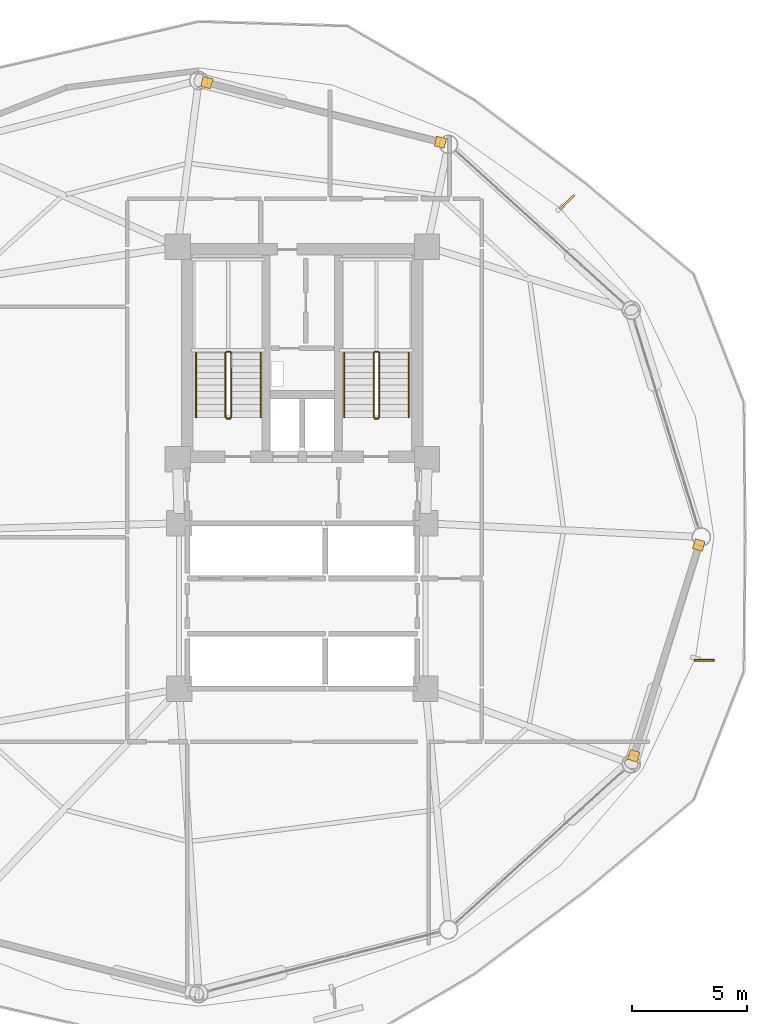
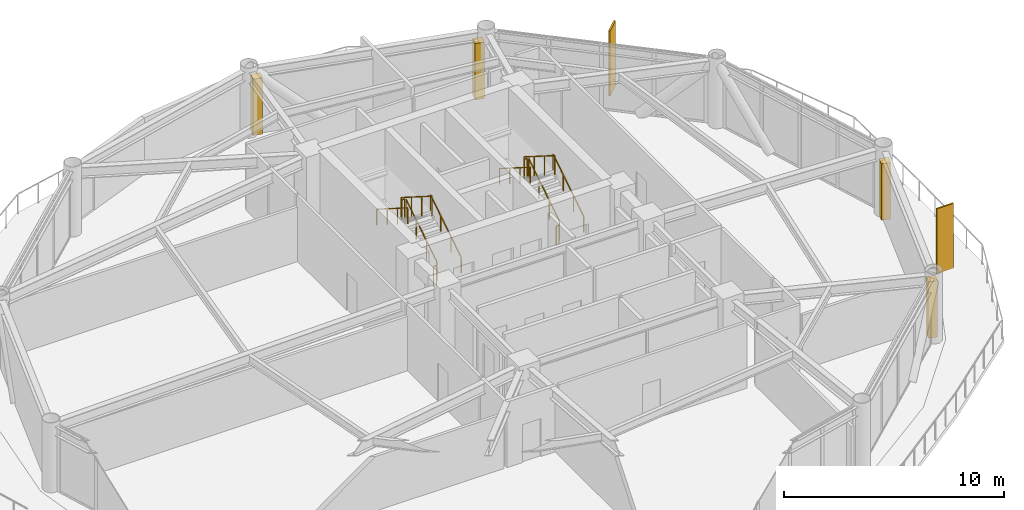
# One storey, part 23 of 23: 12 railings, 4 coverings, 2 shading devices.
"""IFC4 building model written with IfcOpenShell, lengths in metres."""

from ifc_helpers import new_model, si_unit, direction, frame, origin, origin_2d, place, context, subcontext, project, spatial, rectangle, extrude, source, transform, mapped, material, layer, layer_set, type_object, type_shapes, element, save


model = new_model("IFC4")

# Units and contexts
model_context = context("Model", 3, precision=1e-05, world=origin(), true_north=direction((0.0, 1.0)))
body_context = subcontext(model_context, "Body", "Model", "MODEL_VIEW")
ifc_project = project(units=[si_unit("LENGTHUNIT", "METRE"), si_unit("AREAUNIT", "SQUARE_METRE"), si_unit("VOLUMEUNIT", "CUBIC_METRE"), si_unit("PLANEANGLEUNIT", "RADIAN"), si_unit("MASSUNIT", "GRAM", prefix="KILO")], contexts=[model_context])

# Site, building, storey
site_placement = place(None, origin())
site = spatial("IfcSite", under=ifc_project, at=site_placement, CompositionType="ELEMENT")
building_placement = place(site_placement, origin())
building = spatial("IfcBuilding", under=site, at=building_placement, Name="Varnakorn Sky Granary", CompositionType="ELEMENT")
storey_placement = place(building_placement, frame((0.0, 0.0, 83.699951171875)))
storey = spatial("IfcBuildingStorey", under=building, at=storey_placement, Name="L20", CompositionType="ELEMENT", Elevation=83.699951171875)

# Railings
ifc_material_1 = material(Name="Brushed Stainless Steel 316", Category="steel")
railing_type_1 = type_object("IfcRailingType", Name="RL-STAIR-1100", PredefinedType="GUARDRAIL", material=ifc_material_1)
railing_1_placement = place(storey_placement, frame((-0.090087890625, 5.199951171875, 0.17724609375)))
element("IfcRailing", 1, at=railing_1_placement, inside=storey, type_object=railing_type_1, Name="L20 ST-1 stair guard 1", PredefinedType="GUARDRAIL", context=body_context, shape_type="SweptSolid", body=[
    extrude(rectangle(XDim=0.048095703125, YDim=0.048095703125, at=origin_2d()), frame((0.0, 0.0, 1.076171875), z_axis=(0.0, 0.844908973607, 0.534910110503), x_axis=(-1.0, 0.0, 0.0)), (0.0, 0.0, 1.0), 3.31396484375),
    extrude(rectangle(XDim=0.0419921875, YDim=0.0419921875, at=origin_2d()), origin(), (0.0, 0.0, 1.0), 1.048095703125),
    extrude(rectangle(XDim=0.0419921875, YDim=0.0419921875, at=origin_2d()), frame((0.0, 0.933349609375, 0.5908203125)), (0.0, 0.0, 1.0), 1.048095703125),
    extrude(rectangle(XDim=0.0419921875, YDim=0.0419921875, at=origin_2d()), frame((0.0, 1.86669921875, 1.181884765625)), (0.0, 0.0, 1.0), 1.048095703125),
    extrude(rectangle(XDim=0.0419921875, YDim=0.0419921875, at=origin_2d()), frame((0.0, 2.800048828125, 1.772705078125)), (0.0, 0.0, 1.0), 1.048095703125),
])
railing_2_placement = place(storey_placement, frame((-0.139892578125, 8.050048828125, 1.949951171875)))
element("IfcRailing", 2, at=railing_2_placement, inside=storey, type_object=railing_type_1, Name="L20 ST-1 stair guard 2", PredefinedType="GUARDRAIL", context=body_context, shape_type="SweptSolid", body=[
    extrude(rectangle(XDim=0.048095703125, YDim=0.048095703125, at=origin_2d()), frame((0.0, 0.0, 1.076171875), z_axis=(-1.0, 0.0, 0.0), x_axis=(0.0, -1.0, 0.0)), (0.0, 0.0, 1.0), 0.150146484375),
    extrude(rectangle(XDim=0.0419921875, YDim=0.0419921875, at=origin_2d()), origin(), (0.0, 0.0, 1.0), 1.048095703125),
    extrude(rectangle(XDim=0.0419921875, YDim=0.0419921875, at=origin_2d()), frame((-0.150146484375, 0.0, 0.0)), (0.0, 0.0, 1.0), 1.048095703125),
])
railing_3_placement = place(storey_placement, frame((-0.340087890625, 8.0, 2.12744140625)))
element("IfcRailing", 3, at=railing_3_placement, inside=storey, type_object=railing_type_1, Name="L20 ST-1 stair guard 3", PredefinedType="GUARDRAIL", context=body_context, shape_type="SweptSolid", body=[
    extrude(rectangle(XDim=0.048095703125, YDim=0.048095703125, at=origin_2d()), frame((0.0, 0.0, 1.076171875), z_axis=(0.0, -0.844908973607, 0.534910110503), x_axis=(1.0, 0.0, 0.0)), (0.0, 0.0, 1.0), 3.31396484375),
    extrude(rectangle(XDim=0.0419921875, YDim=0.0419921875, at=origin_2d()), origin(), (0.0, 0.0, 1.0), 1.048095703125),
    extrude(rectangle(XDim=0.0419921875, YDim=0.0419921875, at=origin_2d()), frame((0.0, -0.933349609375, 0.5908203125)), (0.0, 0.0, 1.0), 1.048095703125),
    extrude(rectangle(XDim=0.0419921875, YDim=0.0419921875, at=origin_2d()), frame((0.0, -1.86669921875, 1.181884765625)), (0.0, 0.0, 1.0), 1.048095703125),
    extrude(rectangle(XDim=0.0419921875, YDim=0.0419921875, at=origin_2d()), frame((0.0, -2.800048828125, 1.772705078125)), (0.0, 0.0, 1.0), 1.048095703125),
])
railing_4_placement = place(storey_placement, frame((-0.139892578125, 5.14990234375, 0.0)))
element("IfcRailing", 4, at=railing_4_placement, inside=storey, type_object=railing_type_1, Name="L20 ST-1 stair guard 4", PredefinedType="GUARDRAIL", context=body_context, shape_type="SweptSolid", body=[
    extrude(rectangle(XDim=0.048095703125, YDim=0.048095703125, at=origin_2d()), frame((0.0, 0.0, 1.076171875), z_axis=(-1.0, 0.0, 0.0), x_axis=(0.0, -1.0, 0.0)), (0.0, 0.0, 1.0), 0.150146484375),
    extrude(rectangle(XDim=0.0419921875, YDim=0.0419921875, at=origin_2d()), origin(), (0.0, 0.0, 1.0), 1.048095703125),
    extrude(rectangle(XDim=0.0419921875, YDim=0.0419921875, at=origin_2d()), frame((-0.150146484375, 0.0, 0.0)), (0.0, 0.0, 1.0), 1.048095703125),
])
railing_5_placement = place(storey_placement, frame((6.35009765625, 5.199951171875, 0.17724609375)))
element("IfcRailing", 5, at=railing_5_placement, inside=storey, type_object=railing_type_1, Name="L20 ST-2 stair guard 1", PredefinedType="GUARDRAIL", context=body_context, shape_type="SweptSolid", body=[
    extrude(rectangle(XDim=0.048095703125, YDim=0.048095703125, at=origin_2d()), frame((0.0, 0.0, 1.076171875), z_axis=(0.0, 0.844908973607, 0.534910110503), x_axis=(-1.0, 0.0, 0.0)), (0.0, 0.0, 1.0), 3.31396484375),
    extrude(rectangle(XDim=0.0419921875, YDim=0.0419921875, at=origin_2d()), origin(), (0.0, 0.0, 1.0), 1.048095703125),
    extrude(rectangle(XDim=0.0419921875, YDim=0.0419921875, at=origin_2d()), frame((0.0, 0.933349609375, 0.5908203125)), (0.0, 0.0, 1.0), 1.048095703125),
    extrude(rectangle(XDim=0.0419921875, YDim=0.0419921875, at=origin_2d()), frame((0.0, 1.86669921875, 1.181884765625)), (0.0, 0.0, 1.0), 1.048095703125),
    extrude(rectangle(XDim=0.0419921875, YDim=0.0419921875, at=origin_2d()), frame((0.0, 2.800048828125, 1.772705078125)), (0.0, 0.0, 1.0), 1.048095703125),
])
railing_6_placement = place(storey_placement, frame((6.300048828125, 8.050048828125, 1.949951171875)))
element("IfcRailing", 6, at=railing_6_placement, inside=storey, type_object=railing_type_1, Name="L20 ST-2 stair guard 2", PredefinedType="GUARDRAIL", context=body_context, shape_type="SweptSolid", body=[
    extrude(rectangle(XDim=0.048095703125, YDim=0.048095703125, at=origin_2d()), frame((0.0, 0.0, 1.076171875), z_axis=(-1.0, 0.0, 0.0), x_axis=(0.0, -1.0, 0.0)), (0.0, 0.0, 1.0), 0.150146484375),
    extrude(rectangle(XDim=0.0419921875, YDim=0.0419921875, at=origin_2d()), origin(), (0.0, 0.0, 1.0), 1.048095703125),
    extrude(rectangle(XDim=0.0419921875, YDim=0.0419921875, at=origin_2d()), frame((-0.150146484375, 0.0, 0.0)), (0.0, 0.0, 1.0), 1.048095703125),
])
railing_7_placement = place(storey_placement, frame((6.10009765625, 8.0, 2.12744140625)))
element("IfcRailing", 7, at=railing_7_placement, inside=storey, type_object=railing_type_1, Name="L20 ST-2 stair guard 3", PredefinedType="GUARDRAIL", context=body_context, shape_type="SweptSolid", body=[
    extrude(rectangle(XDim=0.048095703125, YDim=0.048095703125, at=origin_2d()), frame((0.0, 0.0, 1.076171875), z_axis=(0.0, -0.844908973607, 0.534910110503), x_axis=(1.0, 0.0, 0.0)), (0.0, 0.0, 1.0), 3.31396484375),
    extrude(rectangle(XDim=0.0419921875, YDim=0.0419921875, at=origin_2d()), origin(), (0.0, 0.0, 1.0), 1.048095703125),
    extrude(rectangle(XDim=0.0419921875, YDim=0.0419921875, at=origin_2d()), frame((0.0, -0.933349609375, 0.5908203125)), (0.0, 0.0, 1.0), 1.048095703125),
    extrude(rectangle(XDim=0.0419921875, YDim=0.0419921875, at=origin_2d()), frame((0.0, -1.86669921875, 1.181884765625)), (0.0, 0.0, 1.0), 1.048095703125),
    extrude(rectangle(XDim=0.0419921875, YDim=0.0419921875, at=origin_2d()), frame((0.0, -2.800048828125, 1.772705078125)), (0.0, 0.0, 1.0), 1.048095703125),
])
railing_8_placement = place(storey_placement, frame((6.300048828125, 5.14990234375, 0.0)))
element("IfcRailing", 8, at=railing_8_placement, inside=storey, type_object=railing_type_1, Name="L20 ST-2 stair guard 4", PredefinedType="GUARDRAIL", context=body_context, shape_type="SweptSolid", body=[
    extrude(rectangle(XDim=0.048095703125, YDim=0.048095703125, at=origin_2d()), frame((0.0, 0.0, 1.076171875), z_axis=(-1.0, 0.0, 0.0), x_axis=(0.0, -1.0, 0.0)), (0.0, 0.0, 1.0), 0.150146484375),
    extrude(rectangle(XDim=0.0419921875, YDim=0.0419921875, at=origin_2d()), origin(), (0.0, 0.0, 1.0), 1.048095703125),
    extrude(rectangle(XDim=0.0419921875, YDim=0.0419921875, at=origin_2d()), frame((-0.150146484375, 0.0, 0.0)), (0.0, 0.0, 1.0), 1.048095703125),
])
railing_type_2 = type_object("IfcRailingType", Name="RL-STAIR-920", PredefinedType="HANDRAIL", material=ifc_material_1)
railing_9_placement = place(storey_placement, frame((1.18994140625, 5.199951171875, 0.17724609375)))
element("IfcRailing", 9, at=railing_9_placement, inside=storey, type_object=railing_type_2, Name="L20 ST-1 stair handrail 1", PredefinedType="HANDRAIL", context=body_context, shape_type="SweptSolid", body=[
    extrude(rectangle(XDim=0.048095703125, YDim=0.048095703125, at=origin_2d()), frame((0.0, 0.0, 0.8759765625), z_axis=(0.0, 0.844908973607, 0.534910110503), x_axis=(-1.0, 0.0, 0.0)), (0.0, 0.0, 1.0), 3.31396484375),
    extrude(rectangle(XDim=0.0419921875, YDim=0.0419921875, at=origin_2d()), origin(), (0.0, 0.0, 1.0), 0.847900390625),
    extrude(rectangle(XDim=0.0419921875, YDim=0.0419921875, at=origin_2d()), frame((0.0, 0.933349609375, 0.5908203125)), (0.0, 0.0, 1.0), 0.847900390625),
    extrude(rectangle(XDim=0.0419921875, YDim=0.0419921875, at=origin_2d()), frame((0.0, 1.86669921875, 1.181884765625)), (0.0, 0.0, 1.0), 0.847900390625),
    extrude(rectangle(XDim=0.0419921875, YDim=0.0419921875, at=origin_2d()), frame((0.0, 2.800048828125, 1.772705078125)), (0.0, 0.0, 1.0), 0.847900390625),
])
railing_10_placement = place(storey_placement, frame((-1.6201171875, 8.0, 2.12744140625)))
element("IfcRailing", 10, at=railing_10_placement, inside=storey, type_object=railing_type_2, Name="L20 ST-1 stair handrail 2", PredefinedType="HANDRAIL", context=body_context, shape_type="SweptSolid", body=[
    extrude(rectangle(XDim=0.048095703125, YDim=0.048095703125, at=origin_2d()), frame((0.0, 0.0, 0.8759765625), z_axis=(0.0, -0.844908973607, 0.534910110503), x_axis=(1.0, 0.0, 0.0)), (0.0, 0.0, 1.0), 3.31396484375),
    extrude(rectangle(XDim=0.0419921875, YDim=0.0419921875, at=origin_2d()), origin(), (0.0, 0.0, 1.0), 0.847900390625),
    extrude(rectangle(XDim=0.0419921875, YDim=0.0419921875, at=origin_2d()), frame((0.0, -0.933349609375, 0.5908203125)), (0.0, 0.0, 1.0), 0.847900390625),
    extrude(rectangle(XDim=0.0419921875, YDim=0.0419921875, at=origin_2d()), frame((0.0, -1.86669921875, 1.181884765625)), (0.0, 0.0, 1.0), 0.847900390625),
    extrude(rectangle(XDim=0.0419921875, YDim=0.0419921875, at=origin_2d()), frame((0.0, -2.800048828125, 1.772705078125)), (0.0, 0.0, 1.0), 0.847900390625),
])
railing_11_placement = place(storey_placement, frame((7.6298828125, 5.199951171875, 0.17724609375)))
element("IfcRailing", 11, at=railing_11_placement, inside=storey, type_object=railing_type_2, Name="L20 ST-2 stair handrail 1", PredefinedType="HANDRAIL", context=body_context, shape_type="SweptSolid", body=[
    extrude(rectangle(XDim=0.048095703125, YDim=0.048095703125, at=origin_2d()), frame((0.0, 0.0, 0.8759765625), z_axis=(0.0, 0.844908973607, 0.534910110503), x_axis=(-1.0, 0.0, 0.0)), (0.0, 0.0, 1.0), 3.31396484375),
    extrude(rectangle(XDim=0.0419921875, YDim=0.0419921875, at=origin_2d()), origin(), (0.0, 0.0, 1.0), 0.847900390625),
    extrude(rectangle(XDim=0.0419921875, YDim=0.0419921875, at=origin_2d()), frame((0.0, 0.933349609375, 0.5908203125)), (0.0, 0.0, 1.0), 0.847900390625),
    extrude(rectangle(XDim=0.0419921875, YDim=0.0419921875, at=origin_2d()), frame((0.0, 1.86669921875, 1.181884765625)), (0.0, 0.0, 1.0), 0.847900390625),
    extrude(rectangle(XDim=0.0419921875, YDim=0.0419921875, at=origin_2d()), frame((0.0, 2.800048828125, 1.772705078125)), (0.0, 0.0, 1.0), 0.847900390625),
])
railing_12_placement = place(storey_placement, frame((4.820068359375, 8.0, 2.12744140625)))
element("IfcRailing", 12, at=railing_12_placement, inside=storey, type_object=railing_type_2, Name="L20 ST-2 stair handrail 2", PredefinedType="HANDRAIL", context=body_context, shape_type="SweptSolid", body=[
    extrude(rectangle(XDim=0.048095703125, YDim=0.048095703125, at=origin_2d()), frame((0.0, 0.0, 0.8759765625), z_axis=(0.0, -0.844908973607, 0.534910110503), x_axis=(1.0, 0.0, 0.0)), (0.0, 0.0, 1.0), 3.31396484375),
    extrude(rectangle(XDim=0.0419921875, YDim=0.0419921875, at=origin_2d()), origin(), (0.0, 0.0, 1.0), 0.847900390625),
    extrude(rectangle(XDim=0.0419921875, YDim=0.0419921875, at=origin_2d()), frame((0.0, -0.933349609375, 0.5908203125)), (0.0, 0.0, 1.0), 0.847900390625),
    extrude(rectangle(XDim=0.0419921875, YDim=0.0419921875, at=origin_2d()), frame((0.0, -1.86669921875, 1.181884765625)), (0.0, 0.0, 1.0), 0.847900390625),
    extrude(rectangle(XDim=0.0419921875, YDim=0.0419921875, at=origin_2d()), frame((0.0, -2.800048828125, 1.772705078125)), (0.0, 0.0, 1.0), 0.847900390625),
])

# Shading devices
ifc_material_2 = material(Name="Anodised Bronze Aluminium Alloy 6063-T6", Category="aluminium")
shading_device_type = type_object("IfcShadingDeviceType", Name="SH-FIN-01", PredefinedType="USERDEFINED", material=ifc_material_2)
shared_shape_1 = source(origin(), body_context, "Body", "SweptSolid", [
    extrude(rectangle(XDim=0.0849609375, YDim=0.8798828125, at=origin_2d()), origin(), (0.0, 0.0, 1.0), 3.60009765625),
])
type_shapes(shading_device_type, [shared_shape_1])
for number, where, z_axis, x_axis, name in (
    (13, (14.504638671875, 14.55712890625, -0.0400390625), (0.0, 0.0, 1.0), (-0.692149092843, 0.721754551961, 0.0), "Bronze Solar-Tracking Vertical Blade FIN L20-02"),
    (14, (20.472900390625, -5.3583984375, -0.0400390625), (0.0, 0.0, 1.0), (-0.0087129743, 0.999962041319, 0.0), "Bronze Solar-Tracking Vertical Blade FIN L20-12"),
):
    element("IfcShadingDevice", number, at=place(storey_placement, frame(where, z_axis=z_axis, x_axis=x_axis)), inside=storey, type_object=shading_device_type, Name=name, ObjectType="FIN", PredefinedType="USERDEFINED", context=body_context, shape_type="MappedRepresentation", body=[
        mapped(shared_shape_1, transform((0.0, 0.0, 0.0), x_axis=(1.0, 0.0, 0.0), y_axis=(0.0, 1.0, 0.0), z_axis=(0.0, 0.0, 1.0), scale=1.0)),
    ])

# Coverings
ifc_layer = layer(ifc_material_2, 0.050048828125, Name="Anodised Bronze Aluminium Alloy 6063-T6")
ifc_layer_set = layer_set([ifc_layer], Name="Anodised Bronze Aluminium Alloy 6063-T6")
covering_type = type_object("IfcCoveringType", Name="CV-CLAD-50", PredefinedType="CLADDING", material=ifc_layer_set)
shared_shape_2 = source(origin(), body_context, "Body", "SweptSolid", [
    extrude(rectangle(XDim=0.43994140625, YDim=0.43994140625, at=origin_2d()), origin(), (0.0, 0.0, 1.0), 3.1298828125),
])
type_shapes(covering_type, [shared_shape_2])
for number, where, z_axis, x_axis, name in (
    (15, (-1.14990234375, 19.75244140625, -0.019775390625), (0.0, 0.0, 1.0), (0.968843057437, -0.247675453076, 0.0), "Bronze Corner Pilaster Closure L20-P03-A"),
    (16, (9.002197265625, 17.156494140625, -0.019775390625), (0.0, 0.0, 1.0), (0.968843057437, -0.247675453076, 0.0), "Bronze Corner Pilaster Closure L20-P03-B"),
    (17, (20.2333984375, -0.345458984375, -0.019775390625), (0.0, 0.0, 1.0), (-0.295041067928, -0.955484572474, 0.0), "Bronze Corner Pilaster Closure L20-P12-A"),
    (18, (17.40380859375, -9.508056640625, -0.019775390625), (0.0, 0.0, 1.0), (-0.295041067928, -0.955484572474, 0.0), "Bronze Corner Pilaster Closure L20-P12-B"),
):
    element("IfcCovering", number, at=place(storey_placement, frame(where, z_axis=z_axis, x_axis=x_axis)), inside=storey, type_object=covering_type, Name=name, PredefinedType="CLADDING", context=body_context, shape_type="MappedRepresentation", body=[
        mapped(shared_shape_2, transform((0.0, 0.0, 0.0), x_axis=(1.0, 0.0, 0.0), y_axis=(0.0, 1.0, 0.0), z_axis=(0.0, 0.0, 1.0), scale=1.0)),
    ])

save(model, "model.ifc")
